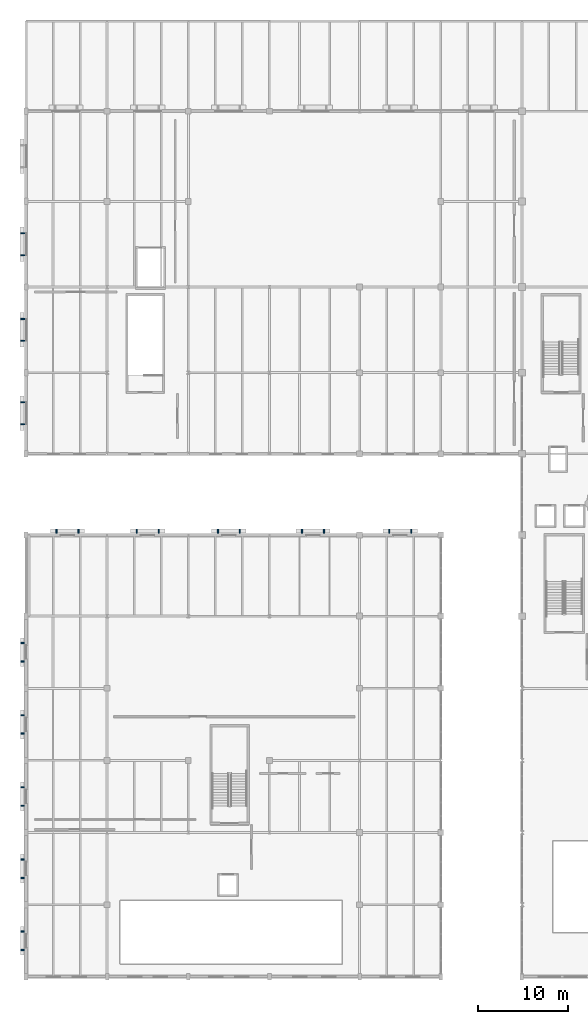
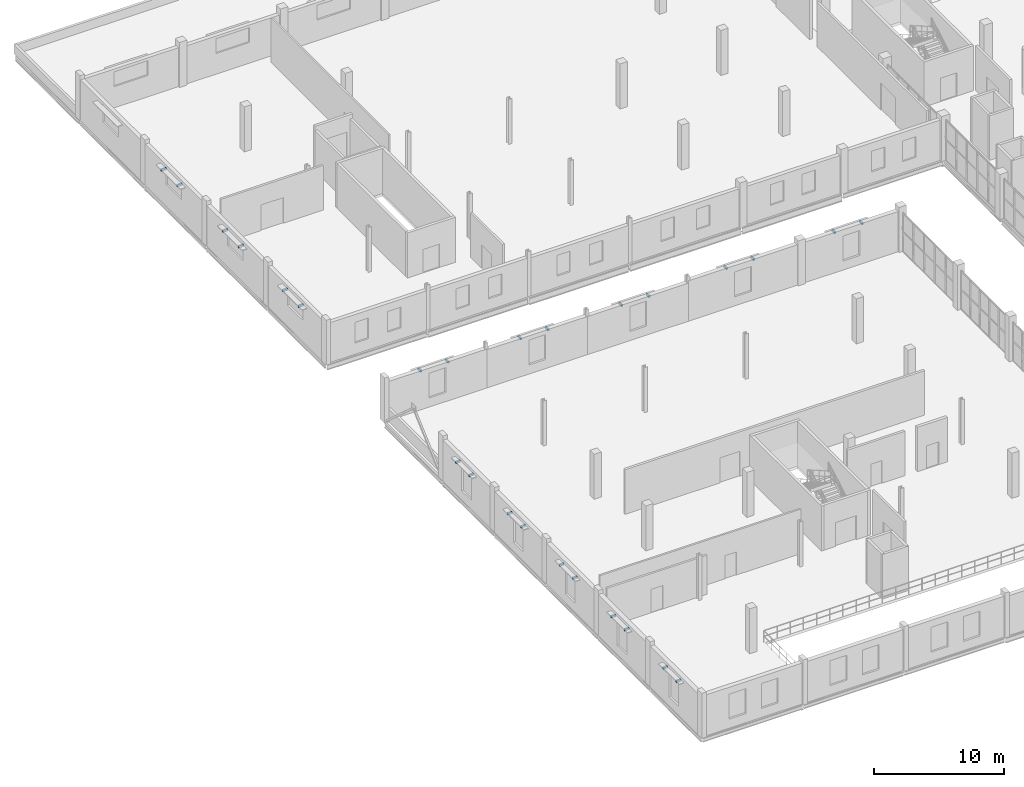
# One storey, part 71 of 85: 26 discrete accessories.
"""IFC4 building model written with IfcOpenShell, lengths in metres."""

from ifc_helpers import new_model, si_unit, direction, frame, origin, origin_2d, place, context, subcontext, project, spatial, rectangle, extrude, material, type_object, element, save


model = new_model("IFC4")

# Units and contexts
model_context = context("Model", 3, precision=1e-05, world=origin(), true_north=direction((0.0, 1.0)))
body_context = subcontext(model_context, "Body", "Model", "MODEL_VIEW")
ifc_project = project(units=[si_unit("LENGTHUNIT", "METRE"), si_unit("AREAUNIT", "SQUARE_METRE"), si_unit("VOLUMEUNIT", "CUBIC_METRE"), si_unit("PLANEANGLEUNIT", "RADIAN"), si_unit("MASSUNIT", "GRAM", prefix="KILO")], contexts=[model_context])

# Site, building, storey
site_placement = place(None, origin())
site = spatial("IfcSite", under=ifc_project, at=site_placement, CompositionType="ELEMENT")
building_placement = place(site_placement, origin())
building = spatial("IfcBuilding", under=site, at=building_placement, Name="Marnock Terrace Opera House", CompositionType="ELEMENT")
storey_placement = place(building_placement, frame((0.0, 0.0, 10.199951171875)))
storey = spatial("IfcBuildingStorey", under=building, at=storey_placement, Name="L02", CompositionType="ELEMENT", Elevation=10.199951171875)

# Discrete accessories
ifc_material = material(Name="Galvanised architectural steel framing", Category="steel")
discrete_accessory_type_1 = type_object("IfcDiscreteAccessoryType", Name="ACC-BRACKET-400", PredefinedType="BRACKET", material=ifc_material)
for number, where, z_axis, x_axis, name in (
    (1, (-0.375, 10.97607421875, 3.4013671875), (0.0, 0.0, 1.0), (0.0, 1.0, 0.0), "Brise-soleil support bracket EW-V3W-L02-1.A"),
    (2, (-0.375, 13.02392578125, 3.4013671875), (0.0, 0.0, 1.0), (0.0, 1.0, 0.0), "Brise-soleil support bracket EW-V3W-L02-1.B"),
    (3, (-0.375, 18.97607421875, 3.4013671875), (0.0, 0.0, 1.0), (0.0, 1.0, 0.0), "Brise-soleil support bracket EW-V3W-L02-2.A"),
    (4, (-0.375, 21.02392578125, 3.4013671875), (0.0, 0.0, 1.0), (0.0, 1.0, 0.0), "Brise-soleil support bracket EW-V3W-L02-2.B"),
    (5, (-0.375, 26.97607421875, 3.4013671875), (0.0, 0.0, 1.0), (0.0, 1.0, 0.0), "Brise-soleil support bracket EW-V3W-L02-3.A"),
    (6, (-0.375, 29.02392578125, 3.4013671875), (0.0, 0.0, 1.0), (0.0, 1.0, 0.0), "Brise-soleil support bracket EW-V3W-L02-3.B"),
    (7, (-0.375, 34.97607421875, 3.4013671875), (0.0, 0.0, 1.0), (0.0, 1.0, 0.0), "Brise-soleil support bracket EW-V3W-L02-4.A"),
    (8, (-0.375, 37.02392578125, 3.4013671875), (0.0, 0.0, 1.0), (0.0, 1.0, 0.0), "Brise-soleil support bracket EW-V3W-L02-4.B"),
    (9, (-0.375, 42.97607421875, 3.3916015625), (0.0, 0.0, 1.0), (0.0, 1.0, 0.0), "Brise-soleil support bracket EW-V3W-L02-5.A"),
    (10, (-0.375, 45.02392578125, 3.3916015625), (0.0, 0.0, 1.0), (0.0, 1.0, 0.0), "Brise-soleil support bracket EW-V3W-L02-5.B"),
):
    element("IfcDiscreteAccessory", number, at=place(storey_placement, frame(where, z_axis=z_axis, x_axis=x_axis)), inside=storey, type_object=discrete_accessory_type_1, Name=name, PredefinedType="BRACKET", context=body_context, shape_type="SweptSolid", body=[
        extrude(rectangle(XDim=0.139892578125, YDim=0.39990234375, at=origin_2d()), origin(), (0.0, 0.0, 1.0), 0.199951171875),
    ])
discrete_accessory_type_2 = type_object("IfcDiscreteAccessoryType", Name="ACC-BRACKET-450", PredefinedType="BRACKET", material=ifc_material)
for number, where, z_axis, x_axis, name in (
    (11, (3.382080078125, 57.39990234375, 3.21728515625), (0.0, 0.0, 1.0), (1.0, 0.0, 0.0), "Brise-soleil support bracket EW-V3N-L02-1.A"),
    (12, (5.81396484375, 57.39990234375, 3.21728515625), (0.0, 0.0, 1.0), (1.0, 0.0, 0.0), "Brise-soleil support bracket EW-V3N-L02-1.B"),
    (13, (12.283935546875, 57.39990234375, 3.14306640625), (0.0, 0.0, 1.0), (1.0, 0.0, 0.0), "Brise-soleil support bracket EW-V3N-L02-2.A"),
    (14, (14.716064453125, 57.39990234375, 3.14306640625), (0.0, 0.0, 1.0), (1.0, 0.0, 0.0), "Brise-soleil support bracket EW-V3N-L02-2.B"),
    (15, (21.283935546875, 57.39990234375, 3.138671875), (0.0, 0.0, 1.0), (1.0, 0.0, 0.0), "Brise-soleil support bracket EW-V3N-L02-3.A"),
    (16, (23.716064453125, 57.39990234375, 3.138671875), (0.0, 0.0, 1.0), (1.0, 0.0, 0.0), "Brise-soleil support bracket EW-V3N-L02-3.B"),
    (17, (30.62353515625, 57.39990234375, 3.34765625), (0.0, 0.0, 1.0), (1.0, 0.0, 0.0), "Brise-soleil support bracket EW-V3N-L02-4.A"),
    (18, (33.055419921875, 57.39990234375, 3.34765625), (0.0, 0.0, 1.0), (1.0, 0.0, 0.0), "Brise-soleil support bracket EW-V3N-L02-4.B"),
    (19, (40.283935546875, 57.39990234375, 3.34765625), (0.0, 0.0, 1.0), (1.0, 0.0, 0.0), "Brise-soleil support bracket EW-V3N-L02-5.A"),
    (20, (42.716064453125, 57.39990234375, 3.34765625), (0.0, 0.0, 1.0), (1.0, 0.0, 0.0), "Brise-soleil support bracket EW-V3N-L02-5.B"),
    (21, (-0.375, 69.283935546875, 3.3916015625), (0.0, 0.0, 1.0), (0.0, 1.0, 0.0), "Brise-soleil support bracket EW-V4W-L02-1.A"),
    (22, (-0.375, 71.716064453125, 3.3916015625), (0.0, 0.0, 1.0), (0.0, 1.0, 0.0), "Brise-soleil support bracket EW-V4W-L02-1.B"),
    (23, (-0.375, 78.533935546875, 3.3916015625), (0.0, 0.0, 1.0), (0.0, 1.0, 0.0), "Brise-soleil support bracket EW-V4W-L02-2.A"),
    (24, (-0.375, 80.966064453125, 3.3916015625), (0.0, 0.0, 1.0), (0.0, 1.0, 0.0), "Brise-soleil support bracket EW-V4W-L02-2.B"),
    (25, (-0.375, 88.033935546875, 3.3916015625), (0.0, 0.0, 1.0), (0.0, 1.0, 0.0), "Brise-soleil support bracket EW-V4W-L02-3.A"),
    (26, (-0.375, 90.466064453125, 3.3916015625), (0.0, 0.0, 1.0), (0.0, 1.0, 0.0), "Brise-soleil support bracket EW-V4W-L02-3.B"),
):
    element("IfcDiscreteAccessory", number, at=place(storey_placement, frame(where, z_axis=z_axis, x_axis=x_axis)), inside=storey, type_object=discrete_accessory_type_2, Name=name, PredefinedType="BRACKET", context=body_context, shape_type="SweptSolid", body=[
        extrude(rectangle(XDim=0.139892578125, YDim=0.449951171875, at=origin_2d()), origin(), (0.0, 0.0, 1.0), 0.199951171875),
    ])

save(model, "model.ifc")
